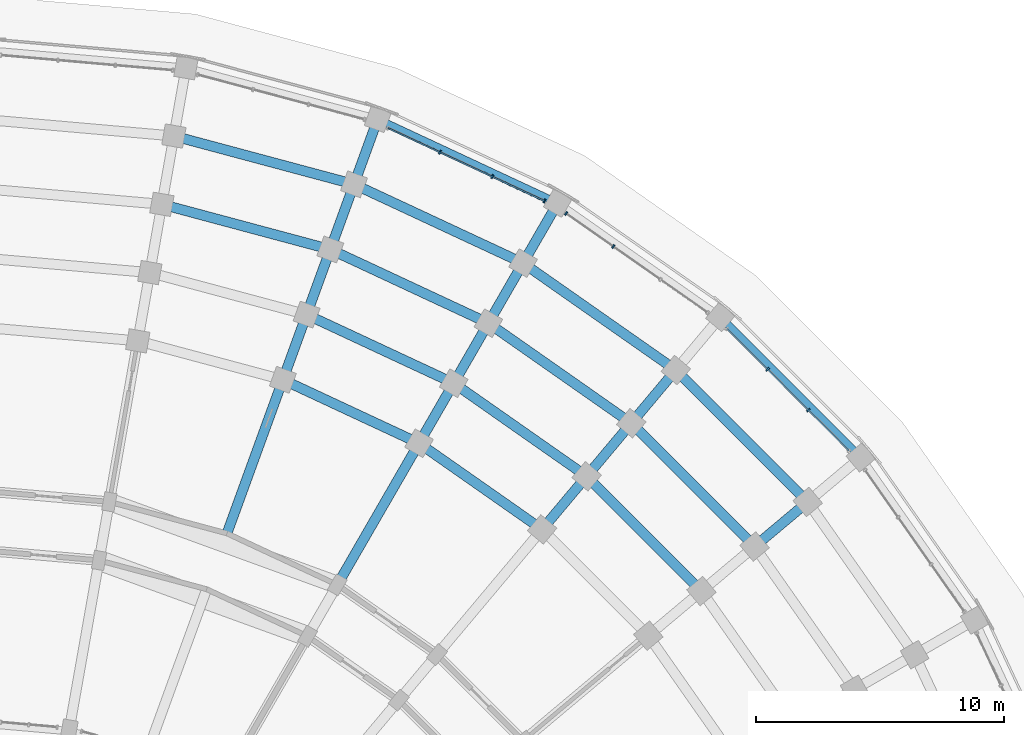
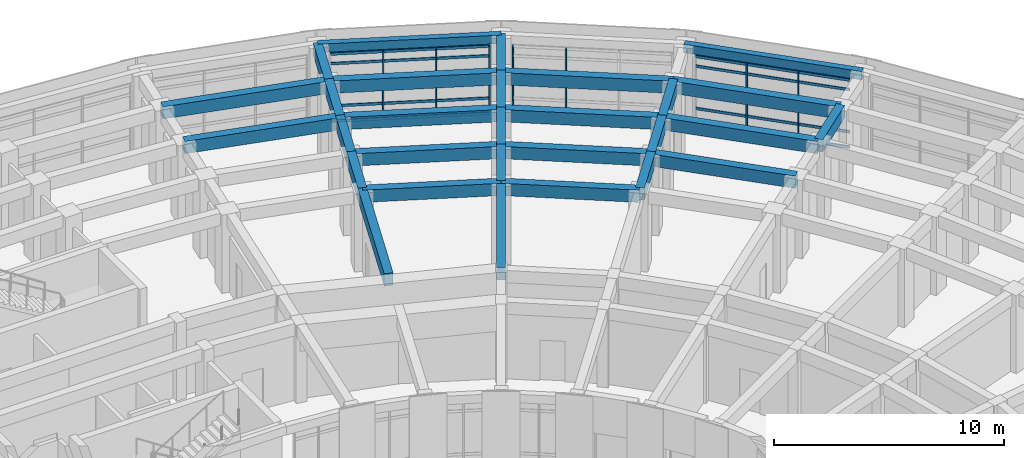
# One storey, part 52 of 135: 29 beams, 15 members, 3 elements without a shape of their own.
"""IFC4 building model written with IfcOpenShell, lengths in metres."""

from ifc_helpers import new_model, si_unit, direction, frame, origin, origin_2d, place, context, subcontext, project, spatial, rectangle, extrude, material, material_profile, profile_set, type_object, element, aggregate, save


model = new_model("IFC4")

# Units and contexts
model_context = context("Model", 3, precision=1e-05, world=origin(), true_north=direction((0.0, 1.0)))
body_context = subcontext(model_context, "Body", "Model", "MODEL_VIEW")
ifc_project = project(units=[si_unit("LENGTHUNIT", "METRE"), si_unit("AREAUNIT", "SQUARE_METRE"), si_unit("VOLUMEUNIT", "CUBIC_METRE"), si_unit("PLANEANGLEUNIT", "RADIAN"), si_unit("MASSUNIT", "GRAM", prefix="KILO")], contexts=[model_context])

# Site, building, storey
site_placement = place(None, origin())
site = spatial("IfcSite", under=ifc_project, at=site_placement, CompositionType="ELEMENT")
building_placement = place(site_placement, origin())
building = spatial("IfcBuilding", under=site, at=building_placement, Name="Kiranvali Square Residences", CompositionType="ELEMENT")
storey_placement = place(building_placement, origin())
storey = spatial("IfcBuildingStorey", under=building, at=storey_placement, Name="L00", CompositionType="ELEMENT", Elevation=0.0)

# Beams
ifc_material_1 = material(Name="Concrete M45 (45 MPa)", Category="concrete")
ifc_material_profile_1 = material_profile(ifc_material_1, rectangle(XDim=0.39990234375, YDim=0.64990234375, at=origin_2d()), Name="RC 400x650")
ifc_profile_set_1 = profile_set([ifc_material_profile_1], Name="Concrete M45 (45 MPa)")
beam_type_1 = type_object("IfcBeamType", Name="BM-M45-400x650", PredefinedType="BEAM", material=ifc_profile_set_1)
beam_1_placement = place(storey_placement, frame((126.8154296875, 127.586181640625, 3.824951171875), z_axis=(0.965931029817, -0.258799624492, 0.0), x_axis=(0.258799624492, 0.965931029817, 0.0)))
element("IfcBeam", 1, at=beam_1_placement, inside=storey, type_object=beam_type_1, Name="L00 beam BM-B-L00-C01-R5", PredefinedType="BEAM", context=body_context, shape_type="SweptSolid", body=[
    extrude(rectangle(XDim=0.39990234375, YDim=0.64990234375, at=origin_2d()), origin(), (0.0, 0.0, 1.0), 7.042236328125),
])
beam_2_placement = place(storey_placement, frame((127.301513671875, 130.34375, 3.824951171875), z_axis=(0.965925909693, -0.258818733833, 0.0), x_axis=(0.258818733833, 0.965925909693, 0.0)))
element("IfcBeam", 2, at=beam_2_placement, inside=storey, type_object=beam_type_1, Name="L00 beam BM-B-L00-C01-R6", PredefinedType="BEAM", context=body_context, shape_type="SweptSolid", body=[
    extrude(rectangle(XDim=0.39990234375, YDim=0.64990234375, at=origin_2d()), origin(), (0.0, 0.0, 1.0), 7.5302734375),
])
beam_3_placement = place(storey_placement, frame((131.702392578125, 120.501220703125, 3.824951171875), z_axis=(0.906312656069, -0.42260781991, 0.0), x_axis=(0.42260781991, 0.906312656069, 0.0)))
element("IfcBeam", 3, at=beam_3_placement, inside=storey, type_object=beam_type_1, Name="L00 beam BM-B-L00-C02-R3", PredefinedType="BEAM", context=body_context, shape_type="SweptSolid", body=[
    extrude(rectangle(XDim=0.39990234375, YDim=0.64990234375, at=origin_2d()), origin(), (0.0, 0.0, 1.0), 6.06591796875),
])
beam_4_placement = place(storey_placement, frame((132.659912109375, 123.13232421875, 3.824951171875), z_axis=(0.906318225223, -0.422595876255, 0.0), x_axis=(0.422595876255, 0.906318225223, 0.0)))
element("IfcBeam", 4, at=beam_4_placement, inside=storey, type_object=beam_type_1, Name="L00 beam BM-B-L00-C02-R4", PredefinedType="BEAM", context=body_context, shape_type="SweptSolid", body=[
    extrude(rectangle(XDim=0.39990234375, YDim=0.64990234375, at=origin_2d()), origin(), (0.0, 0.0, 1.0), 6.55419921875),
])
beam_5_placement = place(storey_placement, frame((133.61767578125, 125.763671875, 3.824951171875), z_axis=(0.906297360311, -0.422640621205, 0.0), x_axis=(0.422640621205, 0.906297360311, 0.0)))
element("IfcBeam", 5, at=beam_5_placement, inside=storey, type_object=beam_type_1, Name="L00 beam BM-B-L00-C02-R5", PredefinedType="BEAM", context=body_context, shape_type="SweptSolid", body=[
    extrude(rectangle(XDim=0.39990234375, YDim=0.64990234375, at=origin_2d()), origin(), (0.0, 0.0, 1.0), 7.042236328125),
])
beam_6_placement = place(storey_placement, frame((134.5751953125, 128.394775390625, 3.824951171875), z_axis=(0.90630982703, -0.422613886933, 0.0), x_axis=(0.422613886933, 0.90630982703, 0.0)))
element("IfcBeam", 6, at=beam_6_placement, inside=storey, type_object=beam_type_1, Name="L00 beam BM-B-L00-C02-R6", PredefinedType="BEAM", context=body_context, shape_type="SweptSolid", body=[
    extrude(rectangle(XDim=0.39990234375, YDim=0.64990234375, at=origin_2d()), origin(), (0.0, 0.0, 1.0), 7.5302734375),
])
beam_7_placement = place(storey_placement, frame((137.199951171875, 117.937744140625, 3.824951171875), z_axis=(0.81913926159, -0.573594691504, 0.0), x_axis=(0.573594691504, 0.81913926159, 0.0)))
element("IfcBeam", 7, at=beam_7_placement, inside=storey, type_object=beam_type_1, Name="L00 beam BM-B-L00-C03-R3", PredefinedType="BEAM", context=body_context, shape_type="SweptSolid", body=[
    extrude(rectangle(XDim=0.39990234375, YDim=0.64990234375, at=origin_2d()), origin(), (0.0, 0.0, 1.0), 6.066162109375),
])
beam_8_placement = place(storey_placement, frame((138.60009765625, 120.362548828125, 3.824951171875), z_axis=(0.819144409176, -0.573587340268, 0.0), x_axis=(0.573587340268, 0.819144409176, 0.0)))
element("IfcBeam", 8, at=beam_8_placement, inside=storey, type_object=beam_type_1, Name="L00 beam BM-B-L00-C03-R4", PredefinedType="BEAM", context=body_context, shape_type="SweptSolid", body=[
    extrude(rectangle(XDim=0.39990234375, YDim=0.64990234375, at=origin_2d()), origin(), (0.0, 0.0, 1.0), 6.553955078125),
])
beam_9_placement = place(storey_placement, frame((140.0, 122.787353515625, 3.824951171875), z_axis=(0.819160249246, -0.57356471828, 0.0), x_axis=(0.57356471828, 0.819160249246, 0.0)))
element("IfcBeam", 9, at=beam_9_placement, inside=storey, type_object=beam_type_1, Name="L00 beam BM-B-L00-C03-R5", PredefinedType="BEAM", context=body_context, shape_type="SweptSolid", body=[
    extrude(rectangle(XDim=0.39990234375, YDim=0.64990234375, at=origin_2d()), origin(), (0.0, 0.0, 1.0), 7.0419921875),
])
beam_10_placement = place(storey_placement, frame((141.39990234375, 125.21240234375, 3.824951171875), z_axis=(0.819143569597, -0.573588539275, 0.0), x_axis=(0.573588539275, 0.819143569597, 0.0)))
element("IfcBeam", 10, at=beam_10_placement, inside=storey, type_object=beam_type_1, Name="L00 beam BM-B-L00-C03-R6", PredefinedType="BEAM", context=body_context, shape_type="SweptSolid", body=[
    extrude(rectangle(XDim=0.39990234375, YDim=0.64990234375, at=origin_2d()), origin(), (0.0, 0.0, 1.0), 7.5302734375),
])
beam_11_placement = place(storey_placement, frame((143.96875, 116.603271484375, 3.824951171875), z_axis=(0.707106781187, -0.707106781187, 0.0), x_axis=(0.707106781187, 0.707106781187, 0.0)))
element("IfcBeam", 11, at=beam_11_placement, inside=storey, type_object=beam_type_1, Name="L00 beam BM-B-L00-C04-R4", PredefinedType="BEAM", context=body_context, shape_type="SweptSolid", body=[
    extrude(rectangle(XDim=0.39990234375, YDim=0.64990234375, at=origin_2d()), origin(), (0.0, 0.0, 1.0), 6.55419921875),
])
beam_12_placement = place(storey_placement, frame((145.7685546875, 118.748291015625, 3.824951171875), z_axis=(0.707106781187, -0.707106781187, 0.0), x_axis=(0.707106781187, 0.707106781187, 0.0)))
element("IfcBeam", 12, at=beam_12_placement, inside=storey, type_object=beam_type_1, Name="L00 beam BM-B-L00-C04-R5", PredefinedType="BEAM", context=body_context, shape_type="SweptSolid", body=[
    extrude(rectangle(XDim=0.39990234375, YDim=0.64990234375, at=origin_2d()), origin(), (0.0, 0.0, 1.0), 7.04248046875),
])
beam_13_placement = place(storey_placement, frame((147.568359375, 120.89306640625, 3.824951171875), z_axis=(0.707106781187, -0.707106781187, 0.0), x_axis=(0.707106781187, 0.707106781187, 0.0)))
element("IfcBeam", 13, at=beam_13_placement, inside=storey, type_object=beam_type_1, Name="L00 beam BM-B-L00-C04-R6", PredefinedType="BEAM", context=body_context, shape_type="SweptSolid", body=[
    extrude(rectangle(XDim=0.39990234375, YDim=0.64990234375, at=origin_2d()), origin(), (0.0, 0.0, 1.0), 7.5302734375),
])
beam_14_placement = place(storey_placement, frame((129.445068359375, 114.29931640625, 3.824951171875), z_axis=(0.342022238372, 0.939691858249, 0.0), x_axis=(-0.939691858249, 0.342022238372, 0.0)))
element("IfcBeam", 14, at=beam_14_placement, inside=storey, type_object=beam_type_1, Name="L00 beam BM-B-L00-RAD02-23", PredefinedType="BEAM", context=body_context, shape_type="SweptSolid", body=[
    extrude(rectangle(XDim=0.39990234375, YDim=0.64990234375, at=origin_2d()), origin(), (0.0, 0.0, 1.0), 6.599853515625),
])
beam_15_placement = place(storey_placement, frame((131.702392578125, 120.501220703125, 3.824951171875), z_axis=(0.341981089711, 0.93970683422, 0.0), x_axis=(-0.93970683422, 0.341981089711, 0.0)))
element("IfcBeam", 15, at=beam_15_placement, inside=storey, type_object=beam_type_1, Name="L00 beam BM-B-L00-RAD02-34", PredefinedType="BEAM", context=body_context, shape_type="SweptSolid", body=[
    extrude(rectangle(XDim=0.39990234375, YDim=0.64990234375, at=origin_2d()), origin(), (0.0, 0.0, 1.0), 2.7998046875),
])
beam_16_placement = place(storey_placement, frame((132.659912109375, 123.13232421875, 3.824951171875), z_axis=(0.342030060398, 0.939689011208, 0.0), x_axis=(-0.939689011208, 0.342030060398, 0.0)))
element("IfcBeam", 16, at=beam_16_placement, inside=storey, type_object=beam_type_1, Name="L00 beam BM-B-L00-RAD02-45", PredefinedType="BEAM", context=body_context, shape_type="SweptSolid", body=[
    extrude(rectangle(XDim=0.39990234375, YDim=0.64990234375, at=origin_2d()), origin(), (0.0, 0.0, 1.0), 2.80029296875),
])
beam_17_placement = place(storey_placement, frame((133.61767578125, 125.763671875, 3.824951171875), z_axis=(0.341981089711, 0.93970683422, 0.0), x_axis=(-0.93970683422, 0.341981089711, 0.0)))
element("IfcBeam", 17, at=beam_17_placement, inside=storey, type_object=beam_type_1, Name="L00 beam BM-B-L00-RAD02-56", PredefinedType="BEAM", context=body_context, shape_type="SweptSolid", body=[
    extrude(rectangle(XDim=0.39990234375, YDim=0.64990234375, at=origin_2d()), origin(), (0.0, 0.0, 1.0), 2.7998046875),
])
beam_18_placement = place(storey_placement, frame((134.5751953125, 128.394775390625, 3.824951171875), z_axis=(0.342058084236, 0.939678810556, 0.0), x_axis=(-0.939678810556, 0.342058084236, 0.0)))
element("IfcBeam", 18, at=beam_18_placement, inside=storey, type_object=beam_type_1, Name="L00 beam BM-B-L00-RAD02-67", PredefinedType="BEAM", context=body_context, shape_type="SweptSolid", body=[
    extrude(rectangle(XDim=0.39990234375, YDim=0.64990234375, at=origin_2d()), origin(), (0.0, 0.0, 1.0), 2.800048828125),
])
beam_19_placement = place(storey_placement, frame((133.89990234375, 112.221923828125, 3.824951171875), z_axis=(0.500002094529, 0.866024194504, 0.0), x_axis=(-0.866024194504, 0.500002094529, 0.0)))
element("IfcBeam", 19, at=beam_19_placement, inside=storey, type_object=beam_type_1, Name="L00 beam BM-B-L00-RAD03-23", PredefinedType="BEAM", context=body_context, shape_type="SweptSolid", body=[
    extrude(rectangle(XDim=0.39990234375, YDim=0.64990234375, at=origin_2d()), origin(), (0.0, 0.0, 1.0), 6.60009765625),
])
beam_20_placement = place(storey_placement, frame((137.199951171875, 117.937744140625, 3.824951171875), z_axis=(0.500049511043, 0.865996816683, 0.0), x_axis=(-0.865996816683, 0.500049511043, 0.0)))
element("IfcBeam", 20, at=beam_20_placement, inside=storey, type_object=beam_type_1, Name="L00 beam BM-B-L00-RAD03-34", PredefinedType="BEAM", context=body_context, shape_type="SweptSolid", body=[
    extrude(rectangle(XDim=0.39990234375, YDim=0.64990234375, at=origin_2d()), origin(), (0.0, 0.0, 1.0), 2.800048828125),
])
beam_21_placement = place(storey_placement, frame((138.60009765625, 120.362548828125, 3.824951171875), z_axis=(0.49998411664, 0.866034573852, 0.0), x_axis=(-0.866034573852, 0.49998411664, 0.0)))
element("IfcBeam", 21, at=beam_21_placement, inside=storey, type_object=beam_type_1, Name="L00 beam BM-B-L00-RAD03-45", PredefinedType="BEAM", context=body_context, shape_type="SweptSolid", body=[
    extrude(rectangle(XDim=0.39990234375, YDim=0.64990234375, at=origin_2d()), origin(), (0.0, 0.0, 1.0), 2.7998046875),
])
for number, where, z_axis, x_axis, name in (
    (22, (140.0, 122.787353515625, 3.824951171875), (0.49994636267, 0.866056369097, 0.0), (-0.866056369097, 0.49994636267, 0.0), "L00 beam BM-B-L00-RAD03-56"),
    (23, (141.39990234375, 125.21240234375, 3.824951171875), (0.500049511043, 0.865996816683, 0.0), (-0.865996816683, 0.500049511043, 0.0), "L00 beam BM-B-L00-RAD03-67"),
    (24, (142.1689453125, 114.458251953125, 3.824951171875), (0.642770757628, 0.766058583359, 0.0), (-0.766058583359, 0.642770757628, 0.0), "L00 beam BM-B-L00-RAD04-34"),
    (25, (143.96875, 116.603271484375, 3.824951171875), (0.642770757628, 0.766058583359, 0.0), (-0.766058583359, 0.642770757628, 0.0), "L00 beam BM-B-L00-RAD04-45"),
):
    element("IfcBeam", number, at=place(storey_placement, frame(where, z_axis=z_axis, x_axis=x_axis)), inside=storey, type_object=beam_type_1, Name=name, PredefinedType="BEAM", context=body_context, shape_type="SweptSolid", body=[
        extrude(rectangle(XDim=0.39990234375, YDim=0.64990234375, at=origin_2d()), origin(), (0.0, 0.0, 1.0), 2.800048828125),
    ])
for number, where, z_axis, x_axis, name in (
    (26, (145.7685546875, 118.748291015625, 3.824951171875), (0.642813692253, 0.76602255649, 0.0), (-0.76602255649, 0.642813692253, 0.0), "L00 beam BM-B-L00-RAD04-56"),
    (27, (150.748291015625, 113.7685546875, 3.824951171875), (0.76602255649, 0.642813692253, 0.0), (-0.642813692253, 0.76602255649, 0.0), "L00 beam BM-B-L00-RAD05-56"),
):
    element("IfcBeam", number, at=place(storey_placement, frame(where, z_axis=z_axis, x_axis=x_axis)), inside=storey, type_object=beam_type_1, Name=name, PredefinedType="BEAM", context=body_context, shape_type="SweptSolid", body=[
        extrude(rectangle(XDim=0.39990234375, YDim=0.64990234375, at=origin_2d()), origin(), (0.0, 0.0, 1.0), 2.7998046875),
    ])

# Curtain wall, members
ifc_material_2 = material(Name="Anodised bronze aluminium framing", Category="aluminium")
curtain_wall_type = type_object("IfcCurtainWallType", Name="CW-RET-SHOP", PredefinedType="USERDEFINED", material=ifc_material_2)
curtain_wall_1_placement = place(storey_placement, origin())
curtain_wall_1 = element("IfcCurtainWall", 28, at=curtain_wall_1_placement, inside=storey, type_object=curtain_wall_type, Name="Block B L00 rounded-corner arcade curtain wall 3", ObjectType="CURTAIN WALL", PredefinedType="USERDEFINED")
ifc_material_profile_2 = material_profile(ifc_material_2, rectangle(XDim=0.06494140625, YDim=0.159912109375, at=origin_2d()), Name="ALU 65x160")
ifc_profile_set_2 = profile_set([ifc_material_profile_2], Name="Anodised bronze aluminium framing")
member_type_1 = type_object("IfcMemberType", Name="CW-MUL-160", PredefinedType="MULLION", material=ifc_profile_set_2)
member_1_placement = place(storey_placement, frame((138.049072265625, 129.68701171875, 0.02001953125), z_axis=(0.0, 0.0, 1.0), x_axis=(0.906307787037, -0.422618261741, 0.0)))
member_1 = element("IfcMember", 29, at=member_1_placement, type_object=member_type_1, Name="CW-B-L00-CRV-02 vertical mullion 2", PredefinedType="MULLION", context=body_context, shape_type="SweptSolid", body=[
    extrude(rectangle(XDim=0.06494140625, YDim=0.159912109375, at=origin_2d()), origin(), (0.0, 0.0, 1.0), 3.60986328125),
])
member_2_placement = place(storey_placement, frame((140.1572265625, 128.7041015625, 0.02001953125), z_axis=(0.0, 0.0, 1.0), x_axis=(0.906307787037, -0.422618261741, 0.0)))
member_2 = element("IfcMember", 30, at=member_2_placement, type_object=member_type_1, Name="CW-B-L00-CRV-02 vertical mullion 3", PredefinedType="MULLION", context=body_context, shape_type="SweptSolid", body=[
    extrude(rectangle(XDim=0.06494140625, YDim=0.159912109375, at=origin_2d()), origin(), (0.0, 0.0, 1.0), 3.60986328125),
])
member_3_placement = place(storey_placement, frame((142.265380859375, 127.720947265625, 0.02001953125), z_axis=(0.0, 0.0, 1.0), x_axis=(0.906307787037, -0.422618261741, 0.0)))
member_3 = element("IfcMember", 31, at=member_3_placement, type_object=member_type_1, Name="CW-B-L00-CRV-02 vertical mullion 4", PredefinedType="MULLION", context=body_context, shape_type="SweptSolid", body=[
    extrude(rectangle(XDim=0.06494140625, YDim=0.159912109375, at=origin_2d()), origin(), (0.0, 0.0, 1.0), 3.60986328125),
])

curtain_wall_2_placement = place(storey_placement, origin())
curtain_wall_2 = element("IfcCurtainWall", 32, at=curtain_wall_2_placement, inside=storey, type_object=curtain_wall_type, Name="Block B L00 rounded-corner arcade curtain wall 4", ObjectType="CURTAIN WALL", PredefinedType="USERDEFINED")
member_4_placement = place(storey_placement, frame((143.139892578125, 127.216064453125, 0.02001953125), z_axis=(0.0, 0.0, 1.0), x_axis=(0.819152044289, -0.573576436351, 0.0)))
member_4 = element("IfcMember", 33, at=member_4_placement, type_object=member_type_1, Name="CW-B-L00-CRV-03 vertical mullion 1", PredefinedType="MULLION", context=body_context, shape_type="SweptSolid", body=[
    extrude(rectangle(XDim=0.06494140625, YDim=0.159912109375, at=origin_2d()), origin(), (0.0, 0.0, 1.0), 3.60986328125),
])
member_5_placement = place(storey_placement, frame((145.04541015625, 125.8818359375, 0.02001953125), z_axis=(0.0, 0.0, 1.0), x_axis=(0.819152044289, -0.573576436351, 0.0)))
member_5 = element("IfcMember", 34, at=member_5_placement, type_object=member_type_1, Name="CW-B-L00-CRV-03 vertical mullion 2", PredefinedType="MULLION", context=body_context, shape_type="SweptSolid", body=[
    extrude(rectangle(XDim=0.06494140625, YDim=0.159912109375, at=origin_2d()), origin(), (0.0, 0.0, 1.0), 3.60986328125),
])
aggregate(curtain_wall_2, [member_4, member_5])

curtain_wall_3_placement = place(storey_placement, origin())
curtain_wall_3 = element("IfcCurtainWall", 35, at=curtain_wall_3_placement, inside=storey, type_object=curtain_wall_type, Name="Block B L00 rounded-corner arcade curtain wall 5", ObjectType="CURTAIN WALL", PredefinedType="USERDEFINED")
member_6_placement = place(storey_placement, frame((151.274658203125, 120.91943359375, 0.02001953125), z_axis=(0.0, 0.0, 1.0), x_axis=(0.707106781187, -0.707106781187, 0.0)))
member_6 = element("IfcMember", 36, at=member_6_placement, type_object=member_type_1, Name="CW-B-L00-CRV-04 vertical mullion 2", PredefinedType="MULLION", context=body_context, shape_type="SweptSolid", body=[
    extrude(rectangle(XDim=0.06494140625, YDim=0.159912109375, at=origin_2d()), origin(), (0.0, 0.0, 1.0), 3.60986328125),
])
member_7_placement = place(storey_placement, frame((152.91943359375, 119.274658203125, 0.02001953125), z_axis=(0.0, 0.0, 1.0), x_axis=(0.707106781187, -0.707106781187, 0.0)))
member_7 = element("IfcMember", 37, at=member_7_placement, type_object=member_type_1, Name="CW-B-L00-CRV-04 vertical mullion 3", PredefinedType="MULLION", context=body_context, shape_type="SweptSolid", body=[
    extrude(rectangle(XDim=0.06494140625, YDim=0.159912109375, at=origin_2d()), origin(), (0.0, 0.0, 1.0), 3.60986328125),
])

# Member
ifc_material_profile_3 = material_profile(ifc_material_2, rectangle(XDim=0.06494140625, YDim=0.139892578125, at=origin_2d()), Name="ALU 65x140")
ifc_profile_set_3 = profile_set([ifc_material_profile_3], Name="Anodised bronze aluminium framing")
member_type_2 = type_object("IfcMemberType", Name="CW-TRN-140", PredefinedType="MULLION", material=ifc_profile_set_3)
member_8_placement = place(storey_placement, frame((135.949951171875, 130.666015625, 0.0400390625), z_axis=(0.90629694339, -0.422641515237, 0.0), x_axis=(0.422641515237, 0.90629694339, 0.0)))
member_8 = element("IfcMember", 38, at=member_8_placement, type_object=member_type_2, Name="CW-B-L00-CRV-02 horizontal transom 1", PredefinedType="MULLION", context=body_context, shape_type="SweptSolid", body=[
    extrude(rectangle(XDim=0.06494140625, YDim=0.139892578125, at=origin_2d()), origin(), (0.0, 0.0, 1.0), 6.95849609375),
])

member_9_placement = place(storey_placement, frame((135.949951171875, 130.666015625, 0.85009765625), z_axis=(0.90629694339, -0.422641515237, 0.0), x_axis=(0.422641515237, 0.90629694339, 0.0)))
member_9 = element("IfcMember", 39, at=member_9_placement, type_object=member_type_2, Name="CW-B-L00-CRV-02 horizontal transom 2", PredefinedType="MULLION", context=body_context, shape_type="SweptSolid", body=[
    extrude(rectangle(XDim=0.06494140625, YDim=0.139892578125, at=origin_2d()), origin(), (0.0, 0.0, 1.0), 6.95849609375),
])

member_10_placement = place(storey_placement, frame((135.949951171875, 130.666015625, 3.10009765625), z_axis=(0.90629694339, -0.422641515237, 0.0), x_axis=(0.422641515237, 0.90629694339, 0.0)))
member_10 = element("IfcMember", 40, at=member_10_placement, type_object=member_type_2, Name="CW-B-L00-CRV-02 horizontal transom 3", PredefinedType="MULLION", context=body_context, shape_type="SweptSolid", body=[
    extrude(rectangle(XDim=0.06494140625, YDim=0.139892578125, at=origin_2d()), origin(), (0.0, 0.0, 1.0), 6.95849609375),
])

member_11_placement = place(storey_placement, frame((135.949951171875, 130.666015625, 3.610107421875), z_axis=(0.90629694339, -0.422641515237, 0.0), x_axis=(0.422641515237, 0.90629694339, 0.0)))
member_11 = element("IfcMember", 41, at=member_11_placement, type_object=member_type_2, Name="CW-B-L00-CRV-02 horizontal transom 4", PredefinedType="MULLION", context=body_context, shape_type="SweptSolid", body=[
    extrude(rectangle(XDim=0.06494140625, YDim=0.139892578125, at=origin_2d()), origin(), (0.0, 0.0, 1.0), 6.95849609375),
])

aggregate(curtain_wall_1, [member_1, member_2, member_3, member_8, member_9, member_10, member_11])

member_12_placement = place(storey_placement, frame((149.636962890625, 122.55712890625, 0.0400390625), z_axis=(0.707106781187, -0.707106781187, 0.0), x_axis=(0.707106781187, 0.707106781187, 0.0)))
member_12 = element("IfcMember", 42, at=member_12_placement, type_object=member_type_2, Name="CW-B-L00-CRV-04 horizontal transom 1", PredefinedType="MULLION", context=body_context, shape_type="SweptSolid", body=[
    extrude(rectangle(XDim=0.06494140625, YDim=0.139892578125, at=origin_2d()), origin(), (0.0, 0.0, 1.0), 6.958251953125),
])

member_13_placement = place(storey_placement, frame((149.636962890625, 122.55712890625, 0.85009765625), z_axis=(0.707106781187, -0.707106781187, 0.0), x_axis=(0.707106781187, 0.707106781187, 0.0)))
member_13 = element("IfcMember", 43, at=member_13_placement, type_object=member_type_2, Name="CW-B-L00-CRV-04 horizontal transom 2", PredefinedType="MULLION", context=body_context, shape_type="SweptSolid", body=[
    extrude(rectangle(XDim=0.06494140625, YDim=0.139892578125, at=origin_2d()), origin(), (0.0, 0.0, 1.0), 6.958251953125),
])

member_14_placement = place(storey_placement, frame((149.636962890625, 122.55712890625, 3.10009765625), z_axis=(0.707106781187, -0.707106781187, 0.0), x_axis=(0.707106781187, 0.707106781187, 0.0)))
member_14 = element("IfcMember", 44, at=member_14_placement, type_object=member_type_2, Name="CW-B-L00-CRV-04 horizontal transom 3", PredefinedType="MULLION", context=body_context, shape_type="SweptSolid", body=[
    extrude(rectangle(XDim=0.06494140625, YDim=0.139892578125, at=origin_2d()), origin(), (0.0, 0.0, 1.0), 6.958251953125),
])

member_15_placement = place(storey_placement, frame((149.636962890625, 122.55712890625, 3.610107421875), z_axis=(0.707106781187, -0.707106781187, 0.0), x_axis=(0.707106781187, 0.707106781187, 0.0)))
member_15 = element("IfcMember", 45, at=member_15_placement, type_object=member_type_2, Name="CW-B-L00-CRV-04 horizontal transom 4", PredefinedType="MULLION", context=body_context, shape_type="SweptSolid", body=[
    extrude(rectangle(XDim=0.06494140625, YDim=0.139892578125, at=origin_2d()), origin(), (0.0, 0.0, 1.0), 6.958251953125),
])

aggregate(curtain_wall_3, [member_6, member_7, member_12, member_13, member_14, member_15])

# Beams
ifc_material_3 = material(Name="Concrete M40 (40 MPa)", Category="concrete")
ifc_material_profile_4 = material_profile(ifc_material_3, rectangle(XDim=0.300048828125, YDim=0.449951171875, at=origin_2d()), Name="RC 300x450")
ifc_profile_set_4 = profile_set([ifc_material_profile_4], Name="Concrete M40 (40 MPa)")
beam_type_2 = type_object("IfcBeamType", Name="SPN-M40-300x450", PredefinedType="SPANDREL", material=ifc_profile_set_4)
beam_22_placement = place(storey_placement, frame((135.532958984375, 131.02587890625, 3.925048828125), z_axis=(0.906309113636, -0.422615416827, 0.0), x_axis=(0.422615416827, 0.906309113636, 0.0)))
element("IfcBeam", 46, at=beam_22_placement, inside=storey, type_object=beam_type_2, Name="L00 beam BM-B-L00-C02-R7", PredefinedType="SPANDREL", context=body_context, shape_type="SweptSolid", body=[
    extrude(rectangle(XDim=0.300048828125, YDim=0.449951171875, at=origin_2d()), origin(), (0.0, 0.0, 1.0), 8.018310546875),
])
beam_23_placement = place(storey_placement, frame((149.3681640625, 123.0380859375, 3.925048828125), z_axis=(0.707106781187, -0.707106781187, 0.0), x_axis=(0.707106781187, 0.707106781187, 0.0)))
element("IfcBeam", 47, at=beam_23_placement, inside=storey, type_object=beam_type_2, Name="L00 beam BM-B-L00-C04-R7", PredefinedType="SPANDREL", context=body_context, shape_type="SweptSolid", body=[
    extrude(rectangle(XDim=0.300048828125, YDim=0.449951171875, at=origin_2d()), origin(), (0.0, 0.0, 1.0), 8.0185546875),
])

save(model, "model.ifc")
